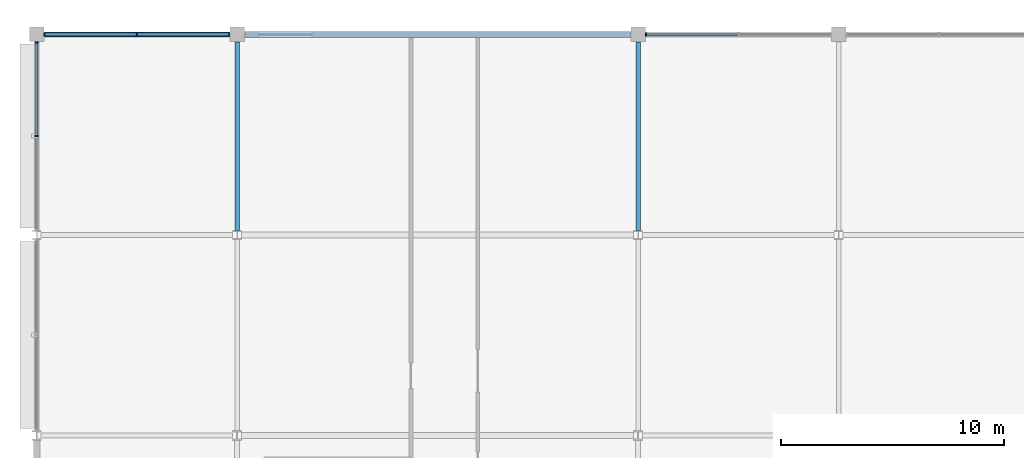
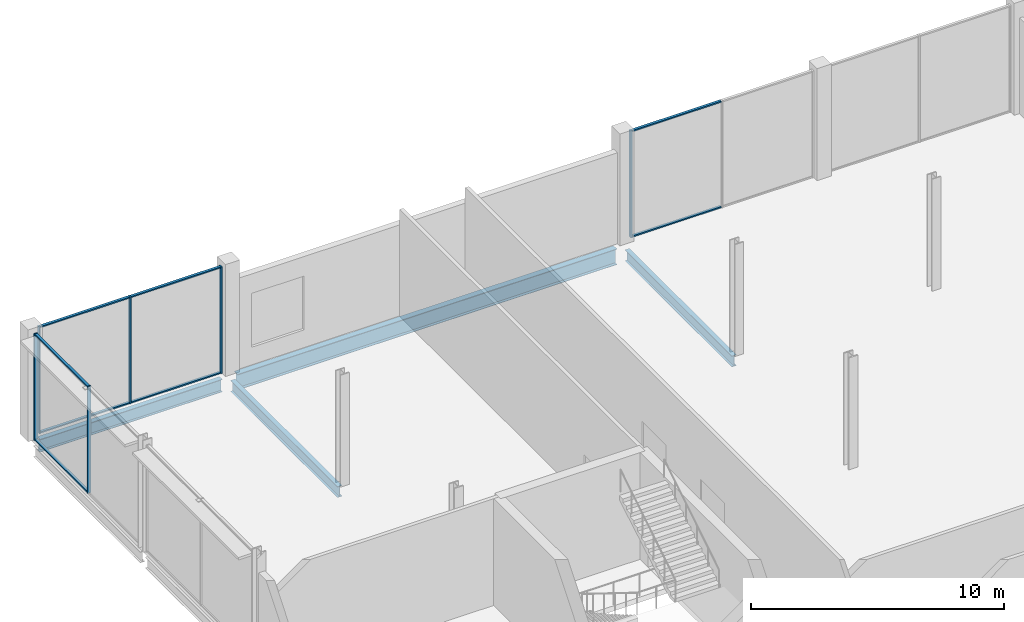
# One storey, part 32 of 113: 14 members, 4 beams, 3 elements without a shape of their own.
"""IFC4 building model written with IfcOpenShell, lengths in metres."""

from ifc_helpers import new_model, si_unit, direction, frame, origin, origin_2d, place, context, subcontext, project, spatial, rectangle, i_section, extrude, material, layer, layer_set, material_profile, profile_set, type_object, element, aggregate, save


model = new_model("IFC4")

# Units and contexts
model_context = context("Model", 3, precision=1e-05, world=origin(), true_north=direction((0.0, 1.0)))
body_context = subcontext(model_context, "Body", "Model", "MODEL_VIEW")
ifc_project = project(units=[si_unit("LENGTHUNIT", "METRE"), si_unit("AREAUNIT", "SQUARE_METRE"), si_unit("VOLUMEUNIT", "CUBIC_METRE"), si_unit("PLANEANGLEUNIT", "RADIAN"), si_unit("MASSUNIT", "GRAM", prefix="KILO")], contexts=[model_context])

# Site, building, storey
site_placement = place(None, origin())
site = spatial("IfcSite", under=ifc_project, at=site_placement, CompositionType="ELEMENT")
building_placement = place(site_placement, origin())
building = spatial("IfcBuilding", under=site, at=building_placement, Name="Kisiwana Market Hall", CompositionType="ELEMENT")
storey_placement = place(building_placement, frame((0.0, 0.0, 6.0)))
storey = spatial("IfcBuildingStorey", under=building, at=storey_placement, Name="L01", CompositionType="ELEMENT", Elevation=6.0)

# Beams
ifc_material_1 = material(Name="Steel S355", Category="steel")
ifc_material_profile_1 = material_profile(ifc_material_1, i_section(OverallWidth=0.209228515625, OverallDepth=0.533203125, WebThickness=0.010009765625, FlangeThickness=0.015625, at=origin_2d()), Name="UB 533x210x92")
ifc_profile_set_1 = profile_set([ifc_material_profile_1], Name="Steel S355")
beam_type_1 = type_object("IfcBeamType", Name="BM-GIRD-UB533", PredefinedType="BEAM", material=ifc_profile_set_1)
for number, where, z_axis, x_axis, name in (
    (1, (9.0, 111.19921875, -0.5166015625), (0.0, 1.0, 0.0), (-1.0, 0.0, 0.0), "Primary girder B-0338"),
    (2, (27.0, 111.19921875, -0.5166015625), (0.0, 1.0, 0.0), (-1.0, 0.0, 0.0), "Primary girder B-0344"),
):
    element("IfcBeam", number, at=place(storey_placement, frame(where, z_axis=z_axis, x_axis=x_axis)), inside=storey, type_object=beam_type_1, Name=name, PredefinedType="BEAM", context=body_context, shape_type="SweptSolid", body=[
        extrude(i_section(OverallWidth=0.209228515625, OverallDepth=0.533203125, WebThickness=0.010009765625, FlangeThickness=0.015625, at=origin_2d()), origin(), (0.0, 0.0, 1.0), 8.454833984375),
    ])
ifc_material_2 = material(Name="Steel S355", Category="steel")
ifc_material_profile_2 = material_profile(ifc_material_2, i_section(OverallWidth=0.22900390625, OverallDepth=0.6123046875, WebThickness=0.011962890625, FlangeThickness=0.01953125, at=origin_2d()), Name="UB 610x229x125")
ifc_profile_set_2 = profile_set([ifc_material_profile_2], Name="Steel S355")
beam_type_2 = type_object("IfcBeamType", Name="BM-GIRD-UB610H", PredefinedType="BEAM", material=ifc_profile_set_2)
beam_1_placement = place(storey_placement, frame((0.345947265625, 120.0, -0.55615234375), z_axis=(1.0, 0.0, 0.0), x_axis=(0.0, 1.0, 0.0)))
element("IfcBeam", 3, at=beam_1_placement, inside=storey, type_object=beam_type_2, Name="Floor beam B-0541", PredefinedType="BEAM", context=body_context, shape_type="SweptSolid", body=[
    extrude(i_section(OverallWidth=0.22900390625, OverallDepth=0.6123046875, WebThickness=0.011962890625, FlangeThickness=0.01953125, at=origin_2d()), origin(), (0.0, 0.0, 1.0), 8.30810546875),
])
ifc_material_3 = material(Name="Steel S355", Category="steel")
ifc_material_profile_3 = material_profile(ifc_material_3, i_section(OverallWidth=0.2666015625, OverallDepth=0.76220703125, WebThickness=0.014404296875, FlangeThickness=0.021484375, at=origin_2d()), Name="UB 762x267x173")
ifc_profile_set_3 = profile_set([ifc_material_profile_3], Name="Steel S355")
beam_type_3 = type_object("IfcBeamType", Name="BM-GIRD-UB762", PredefinedType="BEAM", material=ifc_profile_set_3)
beam_2_placement = place(storey_placement, frame((9.345947265625, 120.0, -0.631103515625), z_axis=(1.0, 0.0, 0.0), x_axis=(0.0, 1.0, 0.0)))
element("IfcBeam", 4, at=beam_2_placement, inside=storey, type_object=beam_type_3, Name="Floor beam B-0542", PredefinedType="BEAM", context=body_context, shape_type="SweptSolid", body=[
    extrude(i_section(OverallWidth=0.2666015625, OverallDepth=0.76220703125, WebThickness=0.014404296875, FlangeThickness=0.021484375, at=origin_2d()), origin(), (0.0, 0.0, 1.0), 17.30810546875),
])

# Curtain wall, members
ifc_material_4 = material(Name="Double-glazed solar-control low-E IGU", Category="glass")
ifc_layer_1 = layer(ifc_material_4, 0.159912109375)
ifc_layer_set_1 = layer_set([ifc_layer_1], Name="CW-FC-N-8100")
curtain_wall_type_1 = type_object("IfcCurtainWallType", Name="CW-FC-N-8100", PredefinedType="USERDEFINED", material=ifc_layer_set_1)
curtain_wall_1_placement = place(storey_placement, origin())
curtain_wall_1 = element("IfcCurtainWall", 5, at=curtain_wall_1_placement, inside=storey, type_object=curtain_wall_type_1, Name="Unitised curtain wall CW-033 (L01)", ObjectType="UNITISED CURTAIN WALL", PredefinedType="USERDEFINED")
ifc_material_5 = material(Name="Aluminium alloy 6063-T6", Category="aluminium")
ifc_material_profile_4 = material_profile(ifc_material_5, rectangle(XDim=0.06005859375, YDim=0.159912109375, at=origin_2d()), Name="ALU MULLION 60x160")
ifc_profile_set_4 = profile_set([ifc_material_profile_4], Name="Aluminium alloy 6063-T6")
member_type_1 = type_object("IfcMemberType", Name="CW-MULL-60x160", PredefinedType="MULLION", material=ifc_profile_set_4)
member_1_placement = place(storey_placement, frame((0.35498046875, 120.0, 0.0), z_axis=(0.0, 0.0, 1.0), x_axis=(1.0, 0.0, 0.0)))
member_1 = element("IfcMember", 6, at=member_1_placement, type_object=member_type_1, Name="CW-033 mullion 1", PredefinedType="MULLION", context=body_context, shape_type="SweptSolid", body=[
    extrude(rectangle(XDim=0.06005859375, YDim=0.159912109375, at=origin_2d()), origin(), (0.0, 0.0, 1.0), 5.14990234375),
])
member_2_placement = place(storey_placement, frame((4.5, 120.0, 0.0), z_axis=(0.0, 0.0, 1.0), x_axis=(1.0, 0.0, 0.0)))
member_2 = element("IfcMember", 7, at=member_2_placement, type_object=member_type_1, Name="CW-033 mullion 2", PredefinedType="MULLION", context=body_context, shape_type="SweptSolid", body=[
    extrude(rectangle(XDim=0.06005859375, YDim=0.159912109375, at=origin_2d()), origin(), (0.0, 0.0, 1.0), 5.14990234375),
])
member_3_placement = place(storey_placement, frame((8.64501953125, 120.0, 0.0), z_axis=(0.0, 0.0, 1.0), x_axis=(1.0, 0.0, 0.0)))
member_3 = element("IfcMember", 8, at=member_3_placement, type_object=member_type_1, Name="CW-033 mullion 3", PredefinedType="MULLION", context=body_context, shape_type="SweptSolid", body=[
    extrude(rectangle(XDim=0.06005859375, YDim=0.159912109375, at=origin_2d()), origin(), (0.0, 0.0, 1.0), 5.14990234375),
])

# Curtain wall, member
curtain_wall_2_placement = place(storey_placement, origin())
curtain_wall_2 = element("IfcCurtainWall", 9, at=curtain_wall_2_placement, inside=storey, type_object=curtain_wall_type_1, Name="Unitised curtain wall CW-034 (L01)", ObjectType="UNITISED CURTAIN WALL", PredefinedType="USERDEFINED")
member_4_placement = place(storey_placement, frame((27.35498046875, 120.0, 0.0), z_axis=(0.0, 0.0, 1.0), x_axis=(1.0, 0.0, 0.0)))
member_4 = element("IfcMember", 10, at=member_4_placement, type_object=member_type_1, Name="CW-034 mullion 1", PredefinedType="MULLION", context=body_context, shape_type="SweptSolid", body=[
    extrude(rectangle(XDim=0.06005859375, YDim=0.159912109375, at=origin_2d()), origin(), (0.0, 0.0, 1.0), 5.14990234375),
])

# Curtain wall, members
ifc_material_6 = material(Name="Double-glazed solar-control low-E IGU", Category="glass")
ifc_layer_2 = layer(ifc_material_6, 0.159912109375)
ifc_layer_set_2 = layer_set([ifc_layer_2], Name="CW-FC-S-7600")
curtain_wall_type_2 = type_object("IfcCurtainWallType", Name="CW-FC-S-7600", PredefinedType="USERDEFINED", material=ifc_layer_set_2)
curtain_wall_3_placement = place(storey_placement, origin())
curtain_wall_3 = element("IfcCurtainWall", 11, at=curtain_wall_3_placement, inside=storey, type_object=curtain_wall_type_2, Name="Unitised curtain wall CW-048 (L01)", ObjectType="UNITISED CURTAIN WALL", PredefinedType="USERDEFINED")
member_5_placement = place(storey_placement, frame((0.0, 115.439208984375, 0.0), z_axis=(0.0, 0.0, 1.0), x_axis=(0.0, 1.0, 0.0)))
member_5 = element("IfcMember", 12, at=member_5_placement, type_object=member_type_1, Name="CW-048 mullion 2", PredefinedType="MULLION", context=body_context, shape_type="SweptSolid", body=[
    extrude(rectangle(XDim=0.06005859375, YDim=0.159912109375, at=origin_2d()), origin(), (0.0, 0.0, 1.0), 5.14990234375),
])
member_6_placement = place(storey_placement, frame((0.0, 119.64501953125, 0.0), z_axis=(0.0, 0.0, 1.0), x_axis=(0.0, 1.0, 0.0)))
member_6 = element("IfcMember", 13, at=member_6_placement, type_object=member_type_1, Name="CW-048 mullion 3", PredefinedType="MULLION", context=body_context, shape_type="SweptSolid", body=[
    extrude(rectangle(XDim=0.06005859375, YDim=0.159912109375, at=origin_2d()), origin(), (0.0, 0.0, 1.0), 5.14990234375),
])

# Member
ifc_material_7 = material(Name="Aluminium alloy 6063-T6", Category="aluminium")
ifc_material_profile_5 = material_profile(ifc_material_7, rectangle(XDim=0.1201171875, YDim=0.06005859375, at=origin_2d()), Name="ALU TRANSOM 60x120")
ifc_profile_set_5 = profile_set([ifc_material_profile_5], Name="Aluminium alloy 6063-T6")
member_type_2 = type_object("IfcMemberType", Name="CW-TRAN-60x120", PredefinedType="USERDEFINED", material=ifc_profile_set_5)
member_7_placement = place(storey_placement, frame((0.385009765625, 120.0, 0.030029296875), z_axis=(1.0, 0.0, 0.0), x_axis=(0.0, 1.0, 0.0)))
member_7 = element("IfcMember", 14, at=member_7_placement, type_object=member_type_2, Name="CW-033 transom 1.1", ObjectType="TRANSOM", PredefinedType="USERDEFINED", context=body_context, shape_type="SweptSolid", body=[
    extrude(rectangle(XDim=0.1201171875, YDim=0.06005859375, at=origin_2d()), origin(), (0.0, 0.0, 1.0), 4.0849609375),
])

member_8_placement = place(storey_placement, frame((0.385009765625, 120.0, 5.1201171875), z_axis=(1.0, 0.0, 0.0), x_axis=(0.0, 1.0, 0.0)))
member_8 = element("IfcMember", 15, at=member_8_placement, type_object=member_type_2, Name="CW-033 transom 1.2", ObjectType="TRANSOM", PredefinedType="USERDEFINED", context=body_context, shape_type="SweptSolid", body=[
    extrude(rectangle(XDim=0.1201171875, YDim=0.06005859375, at=origin_2d()), origin(), (0.0, 0.0, 1.0), 4.0849609375),
])

member_9_placement = place(storey_placement, frame((4.530029296875, 120.0, 0.030029296875), z_axis=(1.0, 0.0, 0.0), x_axis=(0.0, 1.0, 0.0)))
member_9 = element("IfcMember", 16, at=member_9_placement, type_object=member_type_2, Name="CW-033 transom 2.1", ObjectType="TRANSOM", PredefinedType="USERDEFINED", context=body_context, shape_type="SweptSolid", body=[
    extrude(rectangle(XDim=0.1201171875, YDim=0.06005859375, at=origin_2d()), origin(), (0.0, 0.0, 1.0), 4.0849609375),
])

member_10_placement = place(storey_placement, frame((4.530029296875, 120.0, 5.1201171875), z_axis=(1.0, 0.0, 0.0), x_axis=(0.0, 1.0, 0.0)))
member_10 = element("IfcMember", 17, at=member_10_placement, type_object=member_type_2, Name="CW-033 transom 2.2", ObjectType="TRANSOM", PredefinedType="USERDEFINED", context=body_context, shape_type="SweptSolid", body=[
    extrude(rectangle(XDim=0.1201171875, YDim=0.06005859375, at=origin_2d()), origin(), (0.0, 0.0, 1.0), 4.0849609375),
])

aggregate(curtain_wall_1, [member_1, member_2, member_3, member_7, member_8, member_9, member_10])

member_11_placement = place(storey_placement, frame((27.385009765625, 120.0, 0.030029296875), z_axis=(1.0, 0.0, 0.0), x_axis=(0.0, 1.0, 0.0)))
member_11 = element("IfcMember", 18, at=member_11_placement, type_object=member_type_2, Name="CW-034 transom 1.1", ObjectType="TRANSOM", PredefinedType="USERDEFINED", context=body_context, shape_type="SweptSolid", body=[
    extrude(rectangle(XDim=0.1201171875, YDim=0.06005859375, at=origin_2d()), origin(), (0.0, 0.0, 1.0), 4.0849609375),
])

member_12_placement = place(storey_placement, frame((27.385009765625, 120.0, 5.1201171875), z_axis=(1.0, 0.0, 0.0), x_axis=(0.0, 1.0, 0.0)))
member_12 = element("IfcMember", 19, at=member_12_placement, type_object=member_type_2, Name="CW-034 transom 1.2", ObjectType="TRANSOM", PredefinedType="USERDEFINED", context=body_context, shape_type="SweptSolid", body=[
    extrude(rectangle(XDim=0.1201171875, YDim=0.06005859375, at=origin_2d()), origin(), (0.0, 0.0, 1.0), 4.0849609375),
])

aggregate(curtain_wall_2, [member_4, member_11, member_12])

member_13_placement = place(storey_placement, frame((0.0, 115.468994140625, 0.030029296875), z_axis=(0.0, 1.0, 0.0), x_axis=(-1.0, 0.0, 0.0)))
member_13 = element("IfcMember", 20, at=member_13_placement, type_object=member_type_2, Name="CW-048 transom 2.1", ObjectType="TRANSOM", PredefinedType="USERDEFINED", context=body_context, shape_type="SweptSolid", body=[
    extrude(rectangle(XDim=0.1201171875, YDim=0.06005859375, at=origin_2d()), origin(), (0.0, 0.0, 1.0), 4.14599609375),
])

member_14_placement = place(storey_placement, frame((0.0, 115.468994140625, 5.1201171875), z_axis=(0.0, 1.0, 0.0), x_axis=(-1.0, 0.0, 0.0)))
member_14 = element("IfcMember", 21, at=member_14_placement, type_object=member_type_2, Name="CW-048 transom 2.2", ObjectType="TRANSOM", PredefinedType="USERDEFINED", context=body_context, shape_type="SweptSolid", body=[
    extrude(rectangle(XDim=0.1201171875, YDim=0.06005859375, at=origin_2d()), origin(), (0.0, 0.0, 1.0), 4.14599609375),
])

aggregate(curtain_wall_3, [member_5, member_6, member_13, member_14])

save(model, "model.ifc")
